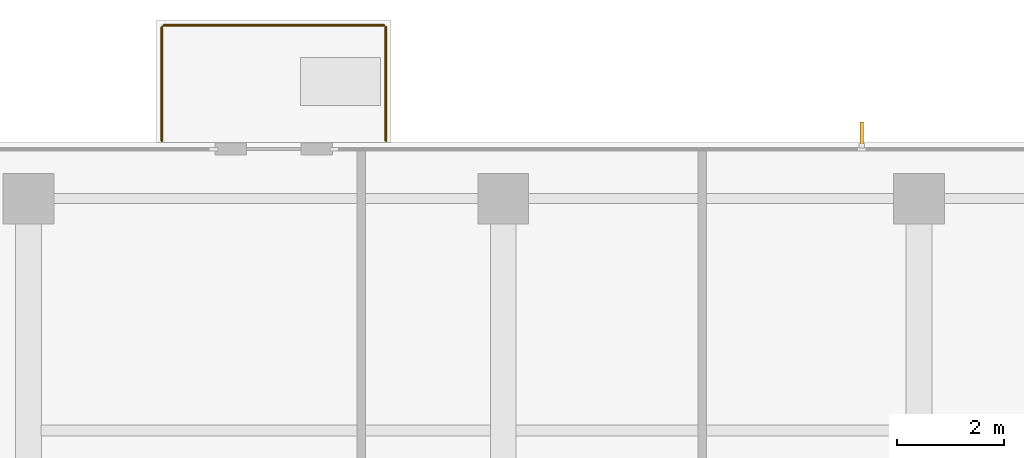
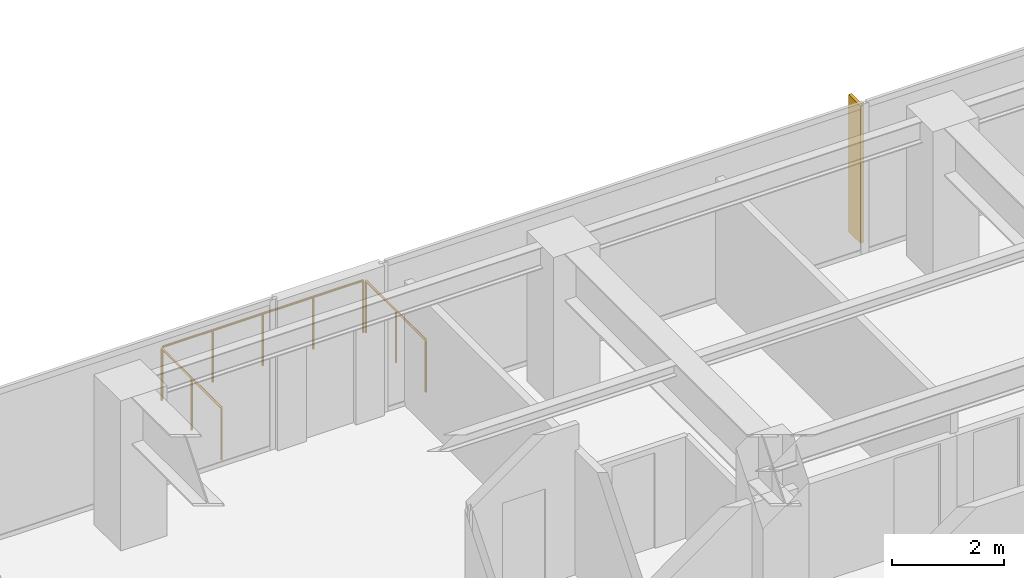
# One storey, part 14 of 14: 3 railings, 1 shading device.
"""IFC4 building model written with IfcOpenShell, lengths in metres."""

from ifc_helpers import new_model, si_unit, direction, frame, origin, origin_2d, place, context, subcontext, project, spatial, polyline, circle, outline, extrude, material, layer, layer_set, type_object, element, save


model = new_model("IFC4")

# Units and contexts
model_context = context("Model", 3, precision=1e-05, world=origin(), true_north=direction((0.0, 1.0)))
body_context = subcontext(model_context, "Body", "Model", "MODEL_VIEW")
ifc_project = project(units=[si_unit("LENGTHUNIT", "METRE"), si_unit("AREAUNIT", "SQUARE_METRE"), si_unit("VOLUMEUNIT", "CUBIC_METRE"), si_unit("PLANEANGLEUNIT", "RADIAN"), si_unit("MASSUNIT", "GRAM", prefix="KILO")], contexts=[model_context])

# Site, building, storey
site_placement = place(None, origin())
site = spatial("IfcSite", under=ifc_project, at=site_placement, CompositionType="ELEMENT")
building_placement = place(site_placement, origin())
building = spatial("IfcBuilding", under=site, at=building_placement, Name="Qalmaran Belvedere Hotel", CompositionType="ELEMENT")
storey_placement = place(building_placement, frame((0.0, 0.0, 235.39990234375)))
storey = spatial("IfcBuildingStorey", under=building, at=storey_placement, Name="L60", CompositionType="ELEMENT", Elevation=235.39990234375)

# Shading device
ifc_material = material(Name="Anodised Bronze Aluminium", Category="aluminium")
ifc_layer = layer(ifc_material, 0.06494140625, Name="Anodised Bronze Aluminium")
ifc_layer_set = layer_set([ifc_layer], Name="Anodised Bronze Aluminium")
shading_device_type = type_object("IfcShadingDeviceType", Name="FIN-BRNZ-420", PredefinedType="USERDEFINED", material=ifc_layer_set)
shading_device_placement = place(storey_placement, frame((0.0, 0.0, 0.16015625)))
element("IfcShadingDevice", 1, at=shading_device_placement, inside=storey, type_object=shading_device_type, Name="L60 Bronze Fin 1", ObjectType="FIN", PredefinedType="USERDEFINED", context=body_context, shape_type="SweptSolid", body=[
    extrude(outline(polyline([(35.95751953125, 41.467529296875), (35.95751953125, 41.887451171875), (35.892578125, 41.887451171875), (35.892578125, 41.467529296875), (35.95751953125, 41.467529296875)])), origin(), (0.0, 0.0, 1.0), 2.97998046875),
])

# Railings
railing_type = type_object("IfcRailingType", Name="GRD-BAL-1150", PredefinedType="BALUSTRADE", material=ifc_material)
railing_1_placement = place(storey_placement, frame((22.800048828125, 41.534912109375, 0.0)))
element("IfcRailing", 2, at=railing_1_placement, inside=storey, type_object=railing_type, Name="L60 Guardrail BAL-L60-N-1", PredefinedType="BALUSTRADE", context=body_context, shape_type="SweptSolid", body=[
    extrude(circle(Radius=0.02392578125, at=origin_2d()), frame((0.0, 0.0, 1.1259765625), z_axis=(0.0, 1.0, 0.0), x_axis=(-1.0, 0.0, 0.0)), (0.0, 0.0, 1.0), 2.130126953125),
    extrude(circle(Radius=0.02099609375, at=origin_2d()), origin(), (0.0, 0.0, 1.0), 1.101806640625),
    extrude(circle(Radius=0.02099609375, at=origin_2d()), frame((0.0, 1.06494140625, 0.0)), (0.0, 0.0, 1.0), 1.101806640625),
    extrude(circle(Radius=0.02099609375, at=origin_2d()), frame((0.0, 2.130126953125, 0.0)), (0.0, 0.0, 1.0), 1.101806640625),
])
railing_2_placement = place(storey_placement, frame((22.8349609375, 43.699951171875, 0.0)))
element("IfcRailing", 3, at=railing_2_placement, inside=storey, type_object=railing_type, Name="L60 Guardrail BAL-L60-N-2", PredefinedType="BALUSTRADE", context=body_context, shape_type="SweptSolid", body=[
    extrude(circle(Radius=0.02392578125, at=origin_2d()), frame((0.0, 0.0, 1.1259765625), z_axis=(1.0, 0.0, 0.0), x_axis=(0.0, 1.0, 0.0)), (0.0, 0.0, 1.0), 4.130126953125),
    extrude(circle(Radius=0.02099609375, at=origin_2d()), origin(), (0.0, 0.0, 1.0), 1.101806640625),
    extrude(circle(Radius=0.02099609375, at=origin_2d()), frame((1.032470703125, 0.0, 0.0)), (0.0, 0.0, 1.0), 1.101806640625),
    extrude(circle(Radius=0.02099609375, at=origin_2d()), frame((2.06494140625, 0.0, 0.0)), (0.0, 0.0, 1.0), 1.101806640625),
    extrude(circle(Radius=0.02099609375, at=origin_2d()), frame((3.09765625, 0.0, 0.0)), (0.0, 0.0, 1.0), 1.101806640625),
    extrude(circle(Radius=0.02099609375, at=origin_2d()), frame((4.130126953125, 0.0, 0.0)), (0.0, 0.0, 1.0), 1.101806640625),
])
railing_3_placement = place(storey_placement, frame((27.0, 43.6650390625, 0.0)))
element("IfcRailing", 4, at=railing_3_placement, inside=storey, type_object=railing_type, Name="L60 Guardrail BAL-L60-N-3", PredefinedType="BALUSTRADE", context=body_context, shape_type="SweptSolid", body=[
    extrude(circle(Radius=0.02392578125, at=origin_2d()), frame((0.0, 0.0, 1.1259765625), z_axis=(0.0, -1.0, 0.0), x_axis=(1.0, 0.0, 0.0)), (0.0, 0.0, 1.0), 2.130126953125),
    extrude(circle(Radius=0.02099609375, at=origin_2d()), origin(), (0.0, 0.0, 1.0), 1.101806640625),
    extrude(circle(Radius=0.02099609375, at=origin_2d()), frame((0.0, -1.06494140625, 0.0)), (0.0, 0.0, 1.0), 1.101806640625),
    extrude(circle(Radius=0.02099609375, at=origin_2d()), frame((0.0, -2.130126953125, 0.0)), (0.0, 0.0, 1.0), 1.101806640625),
])

save(model, "model.ifc")
